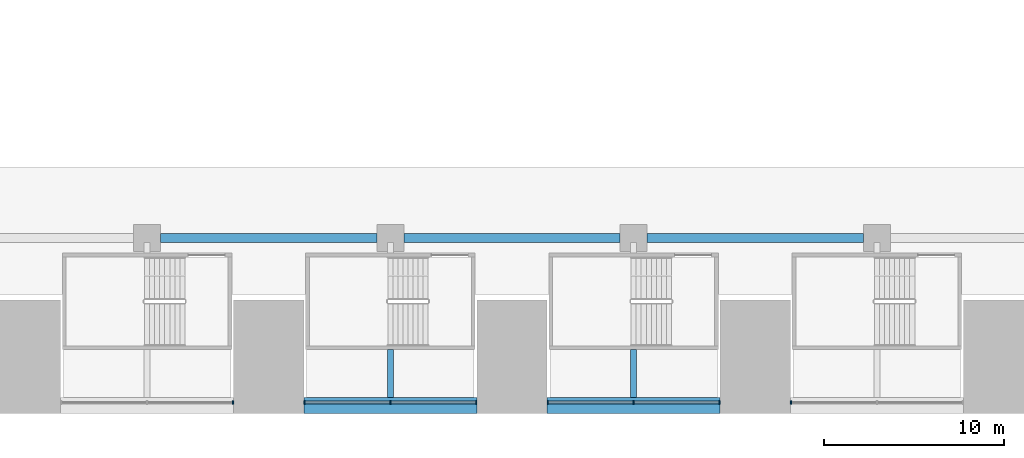
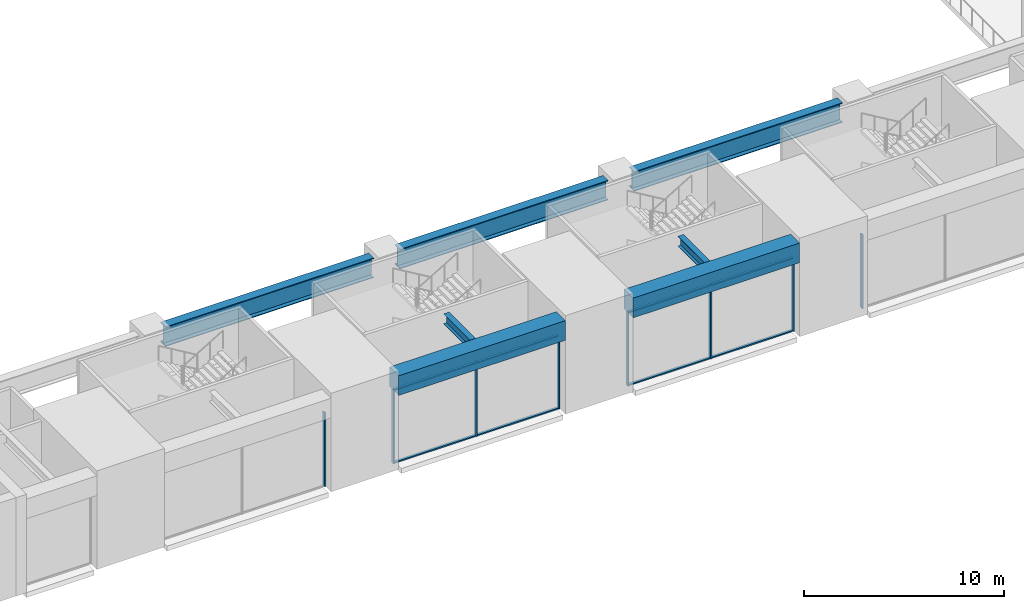
# One storey, part 4 of 41: 16 members, 7 beams, 4 elements without a shape of their own.
"""IFC4 building model written with IfcOpenShell, lengths in metres."""

import ifcopenshell
import ifcopenshell.guid

model = None  # the IFC model being written
_history = None  # IfcOwnerHistory: only IFC2X3 demands one
_inside = {}  # id of a spatial element -> (the spatial element, [elements in it])
_under = {}  # id of a project, library or spatial element -> (it, [spatial elements below it])
_declared = {}  # id of a project -> (the project, [libraries it declares])
_typed = {}  # id of a type object -> (the type object, [elements of that type])
_made_of = {}  # id of a material, layer set ... -> (it, [elements and type objects made of it])


def new_model(schema):
    """Start an empty IFC model of exactly this schema.

    Asked for "IFC4X3", IfcOpenShell would pick the latest addendum, in which some entities
    have other attributes; the version numbers below select the first issue.
    IFC2X3 requires an IfcOwnerHistory on every rooted entity: one is made here for all.
    """
    global model, _history
    if schema == "IFC4X3":
        model = ifcopenshell.file(schema_version=(4, 3, 0, 0))
    else:
        model = ifcopenshell.file(schema=schema)
    _inside.clear()
    _under.clear()
    _declared.clear()
    _typed.clear()
    _made_of.clear()
    _history = None
    if model.schema == "IFC2X3":
        org = make("IfcOrganization", Name="unknown")
        user = make(
            "IfcPersonAndOrganization",
            ThePerson=make("IfcPerson", FamilyName="unknown"),
            TheOrganization=org,
        )
        app = make(
            "IfcApplication",
            ApplicationDeveloper=org,
            Version="unknown",
            ApplicationFullName="unknown",
            ApplicationIdentifier="unknown",
        )
        _history = make(
            "IfcOwnerHistory",
            OwningUser=user,
            OwningApplication=app,
            ChangeAction="ADDED",
            CreationDate=0,
        )
    return model


def make(cls, **values):
    """One entity of the class cls with the attributes given. An attribute that is None is left unset."""
    return model.create_entity(
        cls, **{name: value for name, value in values.items() if value is not None}
    )


def rooted(cls, **values):
    """An entity with a GlobalId (a new one), such as an element, a storey or a relation."""
    return make(cls, GlobalId=ifcopenshell.guid.new(), OwnerHistory=_history, **values)


def si_unit(unit_type, name, prefix=None):
    """IfcSIUnit, for example si_unit("LENGTHUNIT", "METRE", prefix="MILLI")."""
    return make("IfcSIUnit", UnitType=unit_type, Prefix=prefix, Name=name)


def assignment(units):
    """IfcUnitAssignment: the units of a project."""
    return None if units is None else make("IfcUnitAssignment", Units=units)


def point(xyz):
    """IfcCartesianPoint."""
    return None if xyz is None else make("IfcCartesianPoint", Coordinates=xyz)


def direction(xyz):
    """IfcDirection."""
    return None if xyz is None else make("IfcDirection", DirectionRatios=xyz)


def frame(location, z_axis=None, x_axis=None):
    """IfcAxis2Placement3D, a coordinate frame: its origin and axes. An axis left out is left unset."""
    return make(
        "IfcAxis2Placement3D",
        Location=point(location),
        Axis=direction(z_axis),
        RefDirection=direction(x_axis),
    )


def frame_2d(location, x_axis=None):
    """IfcAxis2Placement2D, a coordinate frame in the plane: its origin and x axis."""
    return make(
        "IfcAxis2Placement2D", Location=point(location), RefDirection=direction(x_axis)
    )


def origin():
    """The frame at (0, 0, 0) with its axes left unset."""
    return frame((0.0, 0.0, 0.0))


def origin_2d():
    """The frame at (0, 0) in the plane with its x axis left unset."""
    return frame_2d((0.0, 0.0))


def place(relative_to, where):
    """IfcLocalPlacement: puts the frame where relative to a parent placement (None: the world)."""
    return make(
        "IfcLocalPlacement", PlacementRelTo=relative_to, RelativePlacement=where
    )


def context(
    kind, dimensions, precision=None, world=None, true_north=None, identifier=None
):
    """IfcGeometricRepresentationContext, for example the 3D "Model" context."""
    return make(
        "IfcGeometricRepresentationContext",
        ContextIdentifier=identifier,
        ContextType=kind,
        CoordinateSpaceDimension=dimensions,
        Precision=precision,
        WorldCoordinateSystem=world,
        TrueNorth=true_north,
    )


def subcontext(parent, identifier, kind, view, scale=None):
    """IfcGeometricRepresentationSubContext, for example "Body" below "Model"."""
    return make(
        "IfcGeometricRepresentationSubContext",
        ContextIdentifier=identifier,
        ContextType=kind,
        ParentContext=parent,
        TargetScale=scale,
        TargetView=view,
    )


def project(units=None, contexts=None):
    """IfcProject with its units and contexts."""
    return rooted(
        "IfcProject",
        Name="project",
        RepresentationContexts=contexts,
        UnitsInContext=assignment(units),
    )


def spatial(cls, under=None, at=None, **own):
    """A site, building, storey or space (cls), placed at a placement, below another one or the project."""
    s = rooted(cls, ObjectPlacement=at, **own)
    if under is not None:
        _under.setdefault(under.id(), (under, []))[1].append(s)
    return s


def profile(cls, at=None, kind="AREA", **sizes):
    """A parametric profile (cls). Its sizes go by their IFC names, for example OverallWidth=200.0."""
    return make(cls, ProfileType=kind, Position=at, **sizes)


def rectangle(**sizes):
    """IfcRectangleProfileDef."""
    return profile("IfcRectangleProfileDef", **sizes)


def i_section(**sizes):
    """IfcIShapeProfileDef."""
    return profile("IfcIShapeProfileDef", **sizes)


def extrude(swept, where, along, depth):
    """IfcExtrudedAreaSolid: the profile swept, set in the frame where, extruded along a direction by depth."""
    return make(
        "IfcExtrudedAreaSolid",
        SweptArea=swept,
        Position=where,
        ExtrudedDirection=direction(along),
        Depth=depth,
    )


def shape(context_of_items, identifier, shape_type, items):
    """IfcShapeRepresentation: the items that make up one representation, for example the "Body"."""
    return make(
        "IfcShapeRepresentation",
        ContextOfItems=context_of_items,
        RepresentationIdentifier=identifier,
        RepresentationType=shape_type,
        Items=items,
    )


def material(Name=None, Category=None):
    """IfcMaterial."""
    return make("IfcMaterial", Name=Name, Category=Category)


def layer(
    of_material, thickness, ventilated=None, Name=None, Category=None, Priority=None
):
    """IfcMaterialLayer: one layer of a wall or slab, of a material (None: an air gap)."""
    return make(
        "IfcMaterialLayer",
        Material=of_material,
        LayerThickness=thickness,
        IsVentilated=ventilated,
        Name=Name,
        Category=Category,
        Priority=Priority,
    )


def layer_set(layers, Name=None):
    """IfcMaterialLayerSet."""
    return make("IfcMaterialLayerSet", MaterialLayers=layers, LayerSetName=Name)


def material_profile(
    of_material, cross_section, Name=None, Category=None, Priority=None
):
    """IfcMaterialProfile: a cross section and its material."""
    return make(
        "IfcMaterialProfile",
        Name=Name,
        Material=of_material,
        Profile=cross_section,
        Priority=Priority,
        Category=Category,
    )


def profile_set(profiles, Name=None, composite=None):
    """IfcMaterialProfileSet."""
    return make(
        "IfcMaterialProfileSet",
        Name=Name,
        MaterialProfiles=profiles,
        CompositeProfile=composite,
    )


def made_of(thing, what):
    """Note that an element or type object is made of a material, layer set ...; save() writes the relation."""
    if what is not None:
        _made_of.setdefault(what.id(), (what, []))[1].append(thing)
    return thing


def type_object(cls, material=None, **own):
    """A type object (cls), such as IfcWallType, which elements share."""
    return made_of(rooted(cls, **own), material)


def element(
    cls,
    number,
    at=None,
    inside=None,
    cuts=None,
    type_object=None,
    material=None,
    context=None,
    identifier="Body",
    shape_type=None,
    held_by="IfcProductDefinitionShape",
    body=None,
    shapes=None,
    **own,
):
    """One element of the class cls, such as IfcWall. Its Tag is "e" and its number.

    at: its placement. inside: the storey or other place that contains it. cuts: it is an
    opening in that element (IfcRelVoidsElement). A single representation is given by context,
    identifier, shape_type and body (its items); several are given by shapes. held_by: the class
    of the entity that holds the representations. save() writes the other relations.
    """
    e = rooted(cls, Tag="e%d" % number, ObjectPlacement=at, **own)
    if body is not None:
        shapes = [shape(context, identifier, shape_type, body)]
    if shapes is not None:
        e.Representation = make(held_by, Representations=shapes)
    if inside is not None:
        _inside.setdefault(inside.id(), (inside, []))[1].append(e)
    if cuts is not None:
        rooted(
            "IfcRelVoidsElement", RelatingBuildingElement=cuts, RelatedOpeningElement=e
        )
    if type_object is not None:
        _typed.setdefault(type_object.id(), (type_object, []))[1].append(e)
    return made_of(e, material)


def aggregate(whole, parts):
    """IfcRelAggregates: a whole, such as a stair, and the parts it consists of."""
    return rooted("IfcRelAggregates", RelatingObject=whole, RelatedObjects=parts)


def save(model, path):
    """Write the relations noted so far, then the file.

    IfcRelAggregates (storeys below a building ...), IfcRelContainedInSpatialStructure (elements
    in a storey), IfcRelDefinesByType, IfcRelAssociatesMaterial and IfcRelDeclares: one each for
    every whole, place, type object, material and project.
    """
    for whole, parts in _under.values():
        aggregate(whole, parts)
    for where, things in _inside.values():
        rooted(
            "IfcRelContainedInSpatialStructure",
            RelatedElements=things,
            RelatingStructure=where,
        )
    for kind, things in _typed.values():
        rooted("IfcRelDefinesByType", RelatedObjects=things, RelatingType=kind)
    for what, things in _made_of.values():
        rooted("IfcRelAssociatesMaterial", RelatedObjects=things, RelatingMaterial=what)
    for by, libraries in _declared.values():
        rooted("IfcRelDeclares", RelatingContext=by, RelatedDefinitions=libraries)
    model.write(path)


model = new_model("IFC4")

# Units and contexts
model_context = context("Model", 3, precision=1e-05, world=origin(), true_north=direction((0.0, 1.0)))
body_context = subcontext(model_context, "Body", "Model", "MODEL_VIEW")
ifc_project = project(units=[si_unit("LENGTHUNIT", "METRE"), si_unit("AREAUNIT", "SQUARE_METRE"), si_unit("VOLUMEUNIT", "CUBIC_METRE"), si_unit("PLANEANGLEUNIT", "RADIAN"), si_unit("MASSUNIT", "GRAM", prefix="KILO")], contexts=[model_context])

# Site, building, storey
site_placement = place(None, origin())
site = spatial("IfcSite", under=ifc_project, at=site_placement, CompositionType="ELEMENT")
building_placement = place(site_placement, origin())
building = spatial("IfcBuilding", under=site, at=building_placement, Name="Corbelhall Arena Tower", CompositionType="ELEMENT")
storey_placement = place(building_placement, frame((0.0, 0.0, 19.0)))
storey = spatial("IfcBuildingStorey", under=building, at=storey_placement, Name="L02", CompositionType="ELEMENT", Elevation=19.0)

# Curtain wall, member
ifc_material_1 = material(Name="Aluminium black anodised", Category="aluminium")
ifc_layer = layer(ifc_material_1, 0.239990234375)
ifc_layer_set = layer_set([ifc_layer], Name="EV-CW4 Arena concourse glazing")
curtain_wall_type = type_object("IfcCurtainWallType", Name="EV-CW4 Arena concourse glazing", PredefinedType="NOTDEFINED", material=ifc_layer_set)
curtain_wall_1_placement = place(storey_placement, origin())
curtain_wall_1 = element("IfcCurtainWall", 1, at=curtain_wall_1_placement, inside=storey, type_object=curtain_wall_type, Name="Curtain wall CW4", PredefinedType="NOTDEFINED")
ifc_material_profile_1 = material_profile(ifc_material_1, rectangle(XDim=0.199951171875, YDim=0.074951171875, at=origin_2d()))
ifc_profile_set_1 = profile_set([ifc_material_profile_1], Name="Aluminium black anodised")
member_type_1 = type_object("IfcMemberType", Name="EV-CW4-MULLION", PredefinedType="MULLION", material=ifc_profile_set_1)
member_1_placement = place(storey_placement, frame((-15.487548828125, -38.3798828125, 0.0), z_axis=(0.0, 0.0, 1.0), x_axis=(0.0, 1.0, 0.0)))
member_1 = element("IfcMember", 2, at=member_1_placement, type_object=member_type_1, Name="CW4 mullion 3", PredefinedType="MULLION", context=body_context, shape_type="SweptSolid", body=[
    extrude(rectangle(XDim=0.199951171875, YDim=0.074951171875, at=origin_2d()), origin(), (0.0, 0.0, 1.0), 4.5),
])
aggregate(curtain_wall_1, [member_1])

# Curtain wall, members
curtain_wall_2_placement = place(storey_placement, origin())
curtain_wall_2 = element("IfcCurtainWall", 3, at=curtain_wall_2_placement, inside=storey, type_object=curtain_wall_type, Name="Curtain wall CW4", PredefinedType="NOTDEFINED")
member_2_placement = place(storey_placement, frame((-11.512451171875, -38.3798828125, 0.0), z_axis=(0.0, 0.0, 1.0), x_axis=(0.0, 1.0, 0.0)))
member_2 = element("IfcMember", 4, at=member_2_placement, type_object=member_type_1, Name="CW4 mullion 1", PredefinedType="MULLION", context=body_context, shape_type="SweptSolid", body=[
    extrude(rectangle(XDim=0.199951171875, YDim=0.074951171875, at=origin_2d()), origin(), (0.0, 0.0, 1.0), 4.5),
])
member_3_placement = place(storey_placement, frame((-6.75, -38.3798828125, 0.0), z_axis=(0.0, 0.0, 1.0), x_axis=(0.0, 1.0, 0.0)))
member_3 = element("IfcMember", 5, at=member_3_placement, type_object=member_type_1, Name="CW4 mullion 2", PredefinedType="MULLION", context=body_context, shape_type="SweptSolid", body=[
    extrude(rectangle(XDim=0.199951171875, YDim=0.074951171875, at=origin_2d()), origin(), (0.0, 0.0, 1.0), 4.5),
])
member_4_placement = place(storey_placement, frame((-1.987548828125, -38.3798828125, 0.0), z_axis=(0.0, 0.0, 1.0), x_axis=(0.0, 1.0, 0.0)))
member_4 = element("IfcMember", 6, at=member_4_placement, type_object=member_type_1, Name="CW4 mullion 3", PredefinedType="MULLION", context=body_context, shape_type="SweptSolid", body=[
    extrude(rectangle(XDim=0.199951171875, YDim=0.074951171875, at=origin_2d()), origin(), (0.0, 0.0, 1.0), 4.5),
])

curtain_wall_3_placement = place(storey_placement, origin())
curtain_wall_3 = element("IfcCurtainWall", 7, at=curtain_wall_3_placement, inside=storey, type_object=curtain_wall_type, Name="Curtain wall CW4", PredefinedType="NOTDEFINED")
member_5_placement = place(storey_placement, frame((1.987548828125, -38.3798828125, 0.0), z_axis=(0.0, 0.0, 1.0), x_axis=(0.0, 1.0, 0.0)))
member_5 = element("IfcMember", 8, at=member_5_placement, type_object=member_type_1, Name="CW4 mullion 1", PredefinedType="MULLION", context=body_context, shape_type="SweptSolid", body=[
    extrude(rectangle(XDim=0.199951171875, YDim=0.074951171875, at=origin_2d()), origin(), (0.0, 0.0, 1.0), 4.5),
])
member_6_placement = place(storey_placement, frame((6.75, -38.3798828125, 0.0), z_axis=(0.0, 0.0, 1.0), x_axis=(0.0, 1.0, 0.0)))
member_6 = element("IfcMember", 9, at=member_6_placement, type_object=member_type_1, Name="CW4 mullion 2", PredefinedType="MULLION", context=body_context, shape_type="SweptSolid", body=[
    extrude(rectangle(XDim=0.199951171875, YDim=0.074951171875, at=origin_2d()), origin(), (0.0, 0.0, 1.0), 4.5),
])
member_7_placement = place(storey_placement, frame((11.512451171875, -38.3798828125, 0.0), z_axis=(0.0, 0.0, 1.0), x_axis=(0.0, 1.0, 0.0)))
member_7 = element("IfcMember", 10, at=member_7_placement, type_object=member_type_1, Name="CW4 mullion 3", PredefinedType="MULLION", context=body_context, shape_type="SweptSolid", body=[
    extrude(rectangle(XDim=0.199951171875, YDim=0.074951171875, at=origin_2d()), origin(), (0.0, 0.0, 1.0), 4.5),
])

# Curtain wall, member
curtain_wall_4_placement = place(storey_placement, origin())
curtain_wall_4 = element("IfcCurtainWall", 11, at=curtain_wall_4_placement, inside=storey, type_object=curtain_wall_type, Name="Curtain wall CW4", PredefinedType="NOTDEFINED")
member_8_placement = place(storey_placement, frame((15.487548828125, -38.3798828125, 0.0), z_axis=(0.0, 0.0, 1.0), x_axis=(0.0, 1.0, 0.0)))
member_8 = element("IfcMember", 12, at=member_8_placement, type_object=member_type_1, Name="CW4 mullion 1", PredefinedType="MULLION", context=body_context, shape_type="SweptSolid", body=[
    extrude(rectangle(XDim=0.199951171875, YDim=0.074951171875, at=origin_2d()), origin(), (0.0, 0.0, 1.0), 4.5),
])
aggregate(curtain_wall_4, [member_8])

# Member
ifc_material_profile_2 = material_profile(ifc_material_1, rectangle(XDim=0.14990234375, YDim=0.074951171875, at=origin_2d()))
ifc_profile_set_2 = profile_set([ifc_material_profile_2], Name="Aluminium black anodised")
member_type_2 = type_object("IfcMemberType", Name="EV-CW4-TRANSOM", PredefinedType="USERDEFINED", material=ifc_profile_set_2)
member_9_placement = place(storey_placement, frame((-11.47509765625, -38.3798828125, 0.03759765625), z_axis=(1.0, 0.0, 0.0), x_axis=(0.0, 1.0, 0.0)))
member_9 = element("IfcMember", 13, at=member_9_placement, type_object=member_type_2, Name="CW4 transom 1.1", ObjectType="transom", PredefinedType="USERDEFINED", context=body_context, shape_type="SweptSolid", body=[
    extrude(rectangle(XDim=0.14990234375, YDim=0.074951171875, at=origin_2d()), origin(), (0.0, 0.0, 1.0), 4.6875),
])

member_10_placement = place(storey_placement, frame((-11.47509765625, -38.3798828125, 4.46240234375), z_axis=(1.0, 0.0, 0.0), x_axis=(0.0, 1.0, 0.0)))
member_10 = element("IfcMember", 14, at=member_10_placement, type_object=member_type_2, Name="CW4 transom 1.2", ObjectType="transom", PredefinedType="USERDEFINED", context=body_context, shape_type="SweptSolid", body=[
    extrude(rectangle(XDim=0.14990234375, YDim=0.074951171875, at=origin_2d()), origin(), (0.0, 0.0, 1.0), 4.6875),
])

member_11_placement = place(storey_placement, frame((-6.71240234375, -38.3798828125, 0.03759765625), z_axis=(1.0, 0.0, 0.0), x_axis=(0.0, 1.0, 0.0)))
member_11 = element("IfcMember", 15, at=member_11_placement, type_object=member_type_2, Name="CW4 transom 2.1", ObjectType="transom", PredefinedType="USERDEFINED", context=body_context, shape_type="SweptSolid", body=[
    extrude(rectangle(XDim=0.14990234375, YDim=0.074951171875, at=origin_2d()), origin(), (0.0, 0.0, 1.0), 4.6875),
])

member_12_placement = place(storey_placement, frame((-6.71240234375, -38.3798828125, 4.46240234375), z_axis=(1.0, 0.0, 0.0), x_axis=(0.0, 1.0, 0.0)))
member_12 = element("IfcMember", 16, at=member_12_placement, type_object=member_type_2, Name="CW4 transom 2.2", ObjectType="transom", PredefinedType="USERDEFINED", context=body_context, shape_type="SweptSolid", body=[
    extrude(rectangle(XDim=0.14990234375, YDim=0.074951171875, at=origin_2d()), origin(), (0.0, 0.0, 1.0), 4.6875),
])

aggregate(curtain_wall_2, [member_2, member_3, member_4, member_9, member_10, member_11, member_12])

member_13_placement = place(storey_placement, frame((2.02490234375, -38.3798828125, 0.03759765625), z_axis=(1.0, 0.0, 0.0), x_axis=(0.0, 1.0, 0.0)))
member_13 = element("IfcMember", 17, at=member_13_placement, type_object=member_type_2, Name="CW4 transom 1.1", ObjectType="transom", PredefinedType="USERDEFINED", context=body_context, shape_type="SweptSolid", body=[
    extrude(rectangle(XDim=0.14990234375, YDim=0.074951171875, at=origin_2d()), origin(), (0.0, 0.0, 1.0), 4.6875),
])

member_14_placement = place(storey_placement, frame((2.02490234375, -38.3798828125, 4.46240234375), z_axis=(1.0, 0.0, 0.0), x_axis=(0.0, 1.0, 0.0)))
member_14 = element("IfcMember", 18, at=member_14_placement, type_object=member_type_2, Name="CW4 transom 1.2", ObjectType="transom", PredefinedType="USERDEFINED", context=body_context, shape_type="SweptSolid", body=[
    extrude(rectangle(XDim=0.14990234375, YDim=0.074951171875, at=origin_2d()), origin(), (0.0, 0.0, 1.0), 4.6875),
])

member_15_placement = place(storey_placement, frame((6.78759765625, -38.3798828125, 0.03759765625), z_axis=(1.0, 0.0, 0.0), x_axis=(0.0, 1.0, 0.0)))
member_15 = element("IfcMember", 19, at=member_15_placement, type_object=member_type_2, Name="CW4 transom 2.1", ObjectType="transom", PredefinedType="USERDEFINED", context=body_context, shape_type="SweptSolid", body=[
    extrude(rectangle(XDim=0.14990234375, YDim=0.074951171875, at=origin_2d()), origin(), (0.0, 0.0, 1.0), 4.6875),
])

member_16_placement = place(storey_placement, frame((6.78759765625, -38.3798828125, 4.46240234375), z_axis=(1.0, 0.0, 0.0), x_axis=(0.0, 1.0, 0.0)))
member_16 = element("IfcMember", 20, at=member_16_placement, type_object=member_type_2, Name="CW4 transom 2.2", ObjectType="transom", PredefinedType="USERDEFINED", context=body_context, shape_type="SweptSolid", body=[
    extrude(rectangle(XDim=0.14990234375, YDim=0.074951171875, at=origin_2d()), origin(), (0.0, 0.0, 1.0), 4.6875),
])

aggregate(curtain_wall_3, [member_5, member_6, member_7, member_13, member_14, member_15, member_16])

# Beams
ifc_material_2 = material(Name="Steel ASTM A992 Gr50", Category="steel")
ifc_material_profile_3 = material_profile(ifc_material_2, i_section(OverallWidth=0.323974609375, OverallDepth=0.611083984375, WebThickness=0.0126953125, FlangeThickness=0.01904296875, at=origin_2d()))
ifc_profile_set_3 = profile_set([ifc_material_profile_3], Name="Steel ASTM A992 Gr50")
beam_type_1 = type_object("IfcBeamType", Name="PO-BEAM-W24X104", PredefinedType="BEAM", material=ifc_profile_set_3)
for number, where, z_axis, x_axis, name in (
    (21, (-6.75, -35.449951171875, 5.39453125), (0.0, -1.0, 0.0), (1.0, 0.0, 0.0), "CONCOURSE BEAM"),
    (22, (6.75, -35.449951171875, 5.39453125), (0.0, -1.0, 0.0), (1.0, 0.0, 0.0), "CONCOURSE BEAM"),
):
    element("IfcBeam", number, at=place(storey_placement, frame(where, z_axis=z_axis, x_axis=x_axis)), inside=storey, type_object=beam_type_1, Name=name, PredefinedType="BEAM", context=body_context, shape_type="SweptSolid", body=[
        extrude(i_section(OverallWidth=0.323974609375, OverallDepth=0.611083984375, WebThickness=0.0126953125, FlangeThickness=0.01904296875, at=origin_2d()), origin(), (0.0, 0.0, 1.0), 2.650146484375),
    ])
ifc_material_3 = material(Name="Steel ASTM A572 Gr50", Category="steel")
ifc_material_profile_4 = material_profile(ifc_material_3, i_section(OverallWidth=0.5, OverallDepth=1.199951171875, WebThickness=0.02490234375, FlangeThickness=0.044921875, at=origin_2d()))
ifc_profile_set_4 = profile_set([ifc_material_profile_4], Name="Steel ASTM A572 Gr50")
beam_type_2 = type_object("IfcBeamType", Name="PO-GIRDER-PG1200X500X25X45", PredefinedType="BEAM", material=ifc_profile_set_4)
for number, where, z_axis, x_axis, name in (
    (23, (-19.5, -29.25, 5.10009765625), (1.0, 0.0, 0.0), (0.0, 1.0, 0.0), "RING GIRDER"),
    (24, (-6.0, -29.25, 5.10009765625), (1.0, 0.0, 0.0), (0.0, 1.0, 0.0), "RING GIRDER"),
    (25, (7.5, -29.25, 5.10009765625), (1.0, 0.0, 0.0), (0.0, 1.0, 0.0), "RING GIRDER"),
):
    element("IfcBeam", number, at=place(storey_placement, frame(where, z_axis=z_axis, x_axis=x_axis)), inside=storey, type_object=beam_type_2, Name=name, PredefinedType="BEAM", context=body_context, shape_type="SweptSolid", body=[
        extrude(i_section(OverallWidth=0.5, OverallDepth=1.199951171875, WebThickness=0.02490234375, FlangeThickness=0.044921875, at=origin_2d()), origin(), (0.0, 0.0, 1.0), 12.0),
    ])
ifc_material_4 = material(Name="Concrete C80/95", Category="concrete")
ifc_material_profile_5 = material_profile(ifc_material_4, rectangle(XDim=0.89990234375, YDim=1.199951171875, at=origin_2d()))
ifc_profile_set_5 = profile_set([ifc_material_profile_5], Name="Concrete C80/95")
beam_type_3 = type_object("IfcBeamType", Name="PO-RING-BEAM", PredefinedType="BEAM", material=ifc_profile_set_5)
for number, where, z_axis, x_axis, name in (
    (26, (-11.550048828125, -38.550048828125, 5.10009765625), (1.0, 0.0, 0.0), (0.0, 1.0, 0.0), "RING GIRDER L03 S3"),
    (27, (1.949951171875, -38.550048828125, 5.10009765625), (1.0, 0.0, 0.0), (0.0, 1.0, 0.0), "RING GIRDER L03 S4"),
):
    element("IfcBeam", number, at=place(storey_placement, frame(where, z_axis=z_axis, x_axis=x_axis)), inside=storey, type_object=beam_type_3, Name=name, PredefinedType="BEAM", context=body_context, shape_type="SweptSolid", body=[
        extrude(rectangle(XDim=0.89990234375, YDim=1.199951171875, at=origin_2d()), origin(), (0.0, 0.0, 1.0), 9.60009765625),
    ])

save(model, "model.ifc")
